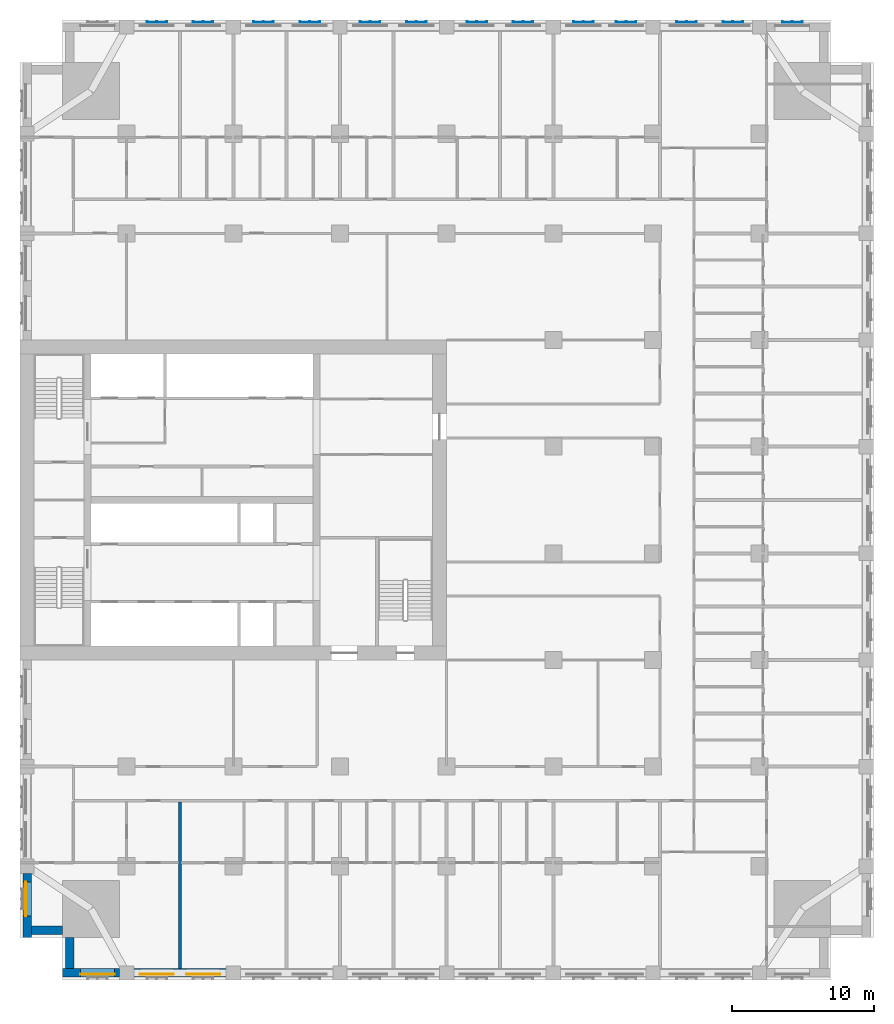
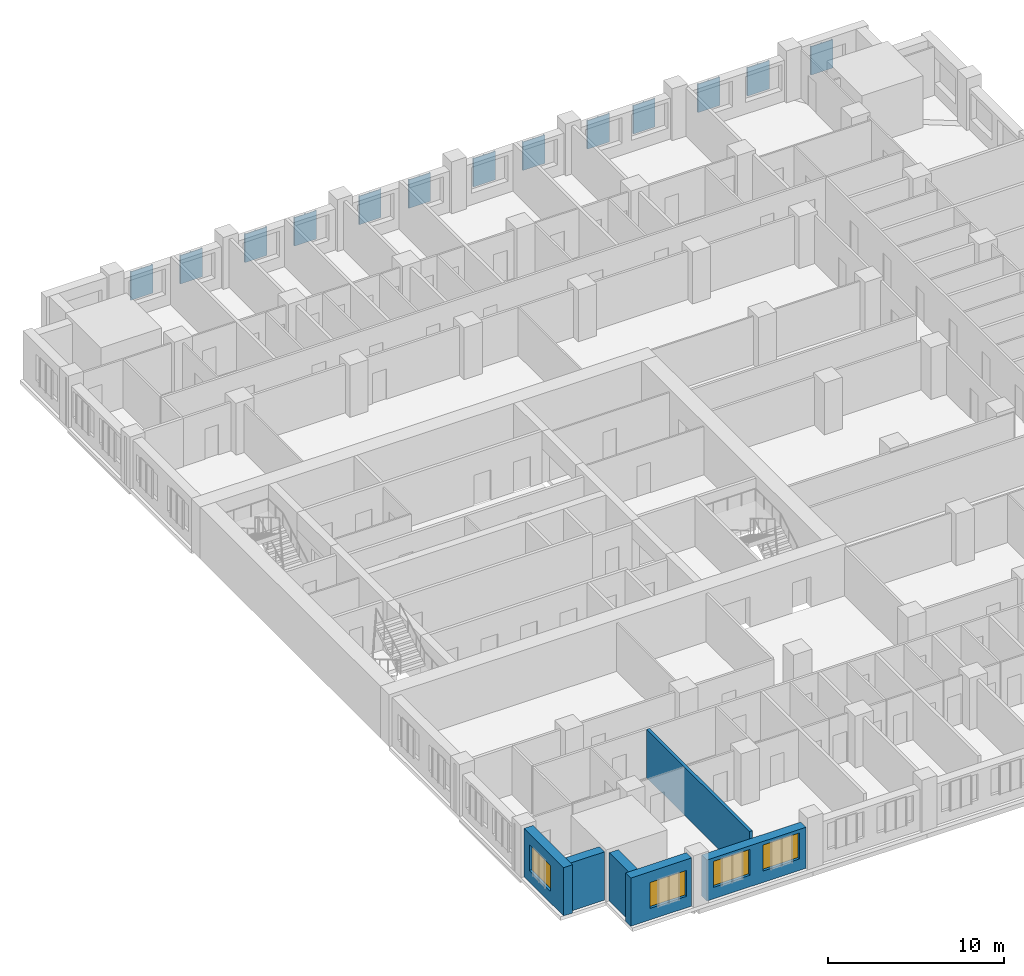
# One storey, part 3 of 15: 13 plates, 6 walls, 4 windows, 4 openings.
"""IFC4 building model written with IfcOpenShell, lengths in metres."""

import ifcopenshell
import ifcopenshell.guid

model = None  # the IFC model being written
_history = None  # IfcOwnerHistory: only IFC2X3 demands one
_inside = {}  # id of a spatial element -> (the spatial element, [elements in it])
_under = {}  # id of a project, library or spatial element -> (it, [spatial elements below it])
_declared = {}  # id of a project -> (the project, [libraries it declares])
_typed = {}  # id of a type object -> (the type object, [elements of that type])
_made_of = {}  # id of a material, layer set ... -> (it, [elements and type objects made of it])


def new_model(schema):
    """Start an empty IFC model of exactly this schema.

    Asked for "IFC4X3", IfcOpenShell would pick the latest addendum, in which some entities
    have other attributes; the version numbers below select the first issue.
    IFC2X3 requires an IfcOwnerHistory on every rooted entity: one is made here for all.
    """
    global model, _history
    if schema == "IFC4X3":
        model = ifcopenshell.file(schema_version=(4, 3, 0, 0))
    else:
        model = ifcopenshell.file(schema=schema)
    _inside.clear()
    _under.clear()
    _declared.clear()
    _typed.clear()
    _made_of.clear()
    _history = None
    if model.schema == "IFC2X3":
        org = make("IfcOrganization", Name="unknown")
        user = make(
            "IfcPersonAndOrganization",
            ThePerson=make("IfcPerson", FamilyName="unknown"),
            TheOrganization=org,
        )
        app = make(
            "IfcApplication",
            ApplicationDeveloper=org,
            Version="unknown",
            ApplicationFullName="unknown",
            ApplicationIdentifier="unknown",
        )
        _history = make(
            "IfcOwnerHistory",
            OwningUser=user,
            OwningApplication=app,
            ChangeAction="ADDED",
            CreationDate=0,
        )
    return model


def make(cls, **values):
    """One entity of the class cls with the attributes given. An attribute that is None is left unset."""
    return model.create_entity(
        cls, **{name: value for name, value in values.items() if value is not None}
    )


def rooted(cls, **values):
    """An entity with a GlobalId (a new one), such as an element, a storey or a relation."""
    return make(cls, GlobalId=ifcopenshell.guid.new(), OwnerHistory=_history, **values)


def si_unit(unit_type, name, prefix=None):
    """IfcSIUnit, for example si_unit("LENGTHUNIT", "METRE", prefix="MILLI")."""
    return make("IfcSIUnit", UnitType=unit_type, Prefix=prefix, Name=name)


def assignment(units):
    """IfcUnitAssignment: the units of a project."""
    return None if units is None else make("IfcUnitAssignment", Units=units)


def point(xyz):
    """IfcCartesianPoint."""
    return None if xyz is None else make("IfcCartesianPoint", Coordinates=xyz)


def direction(xyz):
    """IfcDirection."""
    return None if xyz is None else make("IfcDirection", DirectionRatios=xyz)


def frame(location, z_axis=None, x_axis=None):
    """IfcAxis2Placement3D, a coordinate frame: its origin and axes. An axis left out is left unset."""
    return make(
        "IfcAxis2Placement3D",
        Location=point(location),
        Axis=direction(z_axis),
        RefDirection=direction(x_axis),
    )


def frame_2d(location, x_axis=None):
    """IfcAxis2Placement2D, a coordinate frame in the plane: its origin and x axis."""
    return make(
        "IfcAxis2Placement2D", Location=point(location), RefDirection=direction(x_axis)
    )


def origin():
    """The frame at (0, 0, 0) with its axes left unset."""
    return frame((0.0, 0.0, 0.0))


def place(relative_to, where):
    """IfcLocalPlacement: puts the frame where relative to a parent placement (None: the world)."""
    return make(
        "IfcLocalPlacement", PlacementRelTo=relative_to, RelativePlacement=where
    )


def context(
    kind, dimensions, precision=None, world=None, true_north=None, identifier=None
):
    """IfcGeometricRepresentationContext, for example the 3D "Model" context."""
    return make(
        "IfcGeometricRepresentationContext",
        ContextIdentifier=identifier,
        ContextType=kind,
        CoordinateSpaceDimension=dimensions,
        Precision=precision,
        WorldCoordinateSystem=world,
        TrueNorth=true_north,
    )


def subcontext(parent, identifier, kind, view, scale=None):
    """IfcGeometricRepresentationSubContext, for example "Body" below "Model"."""
    return make(
        "IfcGeometricRepresentationSubContext",
        ContextIdentifier=identifier,
        ContextType=kind,
        ParentContext=parent,
        TargetScale=scale,
        TargetView=view,
    )


def project(units=None, contexts=None):
    """IfcProject with its units and contexts."""
    return rooted(
        "IfcProject",
        Name="project",
        RepresentationContexts=contexts,
        UnitsInContext=assignment(units),
    )


def spatial(cls, under=None, at=None, **own):
    """A site, building, storey or space (cls), placed at a placement, below another one or the project."""
    s = rooted(cls, ObjectPlacement=at, **own)
    if under is not None:
        _under.setdefault(under.id(), (under, []))[1].append(s)
    return s


def polyline(points):
    """IfcPolyline through the points."""
    return make("IfcPolyline", Points=[point(p) for p in points])


def profile(cls, at=None, kind="AREA", **sizes):
    """A parametric profile (cls). Its sizes go by their IFC names, for example OverallWidth=200.0."""
    return make(cls, ProfileType=kind, Position=at, **sizes)


def rectangle(**sizes):
    """IfcRectangleProfileDef."""
    return profile("IfcRectangleProfileDef", **sizes)


def outline(outer, holes=None, kind="AREA"):
    """IfcArbitraryClosedProfileDef: a profile drawn as a closed curve; with holes, ...WithVoids."""
    if holes is None:
        return make("IfcArbitraryClosedProfileDef", ProfileType=kind, OuterCurve=outer)
    return make(
        "IfcArbitraryProfileDefWithVoids",
        ProfileType=kind,
        OuterCurve=outer,
        InnerCurves=holes,
    )


def extrude(swept, where, along, depth):
    """IfcExtrudedAreaSolid: the profile swept, set in the frame where, extruded along a direction by depth."""
    return make(
        "IfcExtrudedAreaSolid",
        SweptArea=swept,
        Position=where,
        ExtrudedDirection=direction(along),
        Depth=depth,
    )


def shape(context_of_items, identifier, shape_type, items):
    """IfcShapeRepresentation: the items that make up one representation, for example the "Body"."""
    return make(
        "IfcShapeRepresentation",
        ContextOfItems=context_of_items,
        RepresentationIdentifier=identifier,
        RepresentationType=shape_type,
        Items=items,
    )


def material(Name=None, Category=None):
    """IfcMaterial."""
    return make("IfcMaterial", Name=Name, Category=Category)


def layer(
    of_material, thickness, ventilated=None, Name=None, Category=None, Priority=None
):
    """IfcMaterialLayer: one layer of a wall or slab, of a material (None: an air gap)."""
    return make(
        "IfcMaterialLayer",
        Material=of_material,
        LayerThickness=thickness,
        IsVentilated=ventilated,
        Name=Name,
        Category=Category,
        Priority=Priority,
    )


def layer_set(layers, Name=None):
    """IfcMaterialLayerSet."""
    return make("IfcMaterialLayerSet", MaterialLayers=layers, LayerSetName=Name)


def made_of(thing, what):
    """Note that an element or type object is made of a material, layer set ...; save() writes the relation."""
    if what is not None:
        _made_of.setdefault(what.id(), (what, []))[1].append(thing)
    return thing


def type_object(cls, material=None, **own):
    """A type object (cls), such as IfcWallType, which elements share."""
    return made_of(rooted(cls, **own), material)


def element(
    cls,
    number,
    at=None,
    inside=None,
    cuts=None,
    type_object=None,
    material=None,
    context=None,
    identifier="Body",
    shape_type=None,
    held_by="IfcProductDefinitionShape",
    body=None,
    shapes=None,
    **own,
):
    """One element of the class cls, such as IfcWall. Its Tag is "e" and its number.

    at: its placement. inside: the storey or other place that contains it. cuts: it is an
    opening in that element (IfcRelVoidsElement). A single representation is given by context,
    identifier, shape_type and body (its items); several are given by shapes. held_by: the class
    of the entity that holds the representations. save() writes the other relations.
    """
    e = rooted(cls, Tag="e%d" % number, ObjectPlacement=at, **own)
    if body is not None:
        shapes = [shape(context, identifier, shape_type, body)]
    if shapes is not None:
        e.Representation = make(held_by, Representations=shapes)
    if inside is not None:
        _inside.setdefault(inside.id(), (inside, []))[1].append(e)
    if cuts is not None:
        rooted(
            "IfcRelVoidsElement", RelatingBuildingElement=cuts, RelatedOpeningElement=e
        )
    if type_object is not None:
        _typed.setdefault(type_object.id(), (type_object, []))[1].append(e)
    return made_of(e, material)


def fill(opening, filler):
    """IfcRelFillsElement: the door or window that sits in an opening."""
    return rooted(
        "IfcRelFillsElement",
        RelatingOpeningElement=opening,
        RelatedBuildingElement=filler,
    )


def aggregate(whole, parts):
    """IfcRelAggregates: a whole, such as a stair, and the parts it consists of."""
    return rooted("IfcRelAggregates", RelatingObject=whole, RelatedObjects=parts)


def save(model, path):
    """Write the relations noted so far, then the file.

    IfcRelAggregates (storeys below a building ...), IfcRelContainedInSpatialStructure (elements
    in a storey), IfcRelDefinesByType, IfcRelAssociatesMaterial and IfcRelDeclares: one each for
    every whole, place, type object, material and project.
    """
    for whole, parts in _under.values():
        aggregate(whole, parts)
    for where, things in _inside.values():
        rooted(
            "IfcRelContainedInSpatialStructure",
            RelatedElements=things,
            RelatingStructure=where,
        )
    for kind, things in _typed.values():
        rooted("IfcRelDefinesByType", RelatedObjects=things, RelatingType=kind)
    for what, things in _made_of.values():
        rooted("IfcRelAssociatesMaterial", RelatedObjects=things, RelatingMaterial=what)
    for by, libraries in _declared.values():
        rooted("IfcRelDeclares", RelatingContext=by, RelatedDefinitions=libraries)
    model.write(path)


model = new_model("IFC4")

# Units and contexts
model_context = context("Model", 3, precision=1e-05, world=origin(), true_north=direction((0.0, 1.0)))
body_context = subcontext(model_context, "Body", "Model", "MODEL_VIEW")
ifc_project = project(units=[si_unit("LENGTHUNIT", "METRE"), si_unit("AREAUNIT", "SQUARE_METRE"), si_unit("VOLUMEUNIT", "CUBIC_METRE"), si_unit("PLANEANGLEUNIT", "RADIAN"), si_unit("MASSUNIT", "GRAM", prefix="KILO")], contexts=[model_context])

# Site, building, storey
site_placement = place(None, origin())
site = spatial("IfcSite", under=ifc_project, at=site_placement, CompositionType="ELEMENT")
building_placement = place(site_placement, origin())
building = spatial("IfcBuilding", under=site, at=building_placement, Name="Tamorin Gate", CompositionType="ELEMENT")
storey_placement = place(building_placement, frame((0.0, 0.0, 62.800048828125)))
storey = spatial("IfcBuildingStorey", under=building, at=storey_placement, Name="L14", CompositionType="ELEMENT", Elevation=62.800048828125)

# Plates
ifc_material_1 = material(Name="Perforated pale aluminium sheet", Category="aluminium")
ifc_layer_1 = layer(ifc_material_1, 0.0400390625)
ifc_layer_set_1 = layer_set([ifc_layer_1], Name="Pale metal solar screen 1440")
plate_type = type_object("IfcPlateType", Name="Pale metal solar screen 1440", PredefinedType="SHEET", material=ifc_layer_set_1)
plate_1_placement = place(storey_placement, frame((0.0, 0.0, 0.7099609375)))
element("IfcPlate", 1, at=plate_1_placement, inside=storey, type_object=plate_type, Name="Perforated solar screen", PredefinedType="SHEET", context=body_context, shape_type="SweptSolid", body=[
    extrude(outline(polyline([(85.02001953125, 104.840087890625), (85.02001953125, 104.800048828125), (84.9599609375, 104.800048828125), (84.330078125, 104.800048828125), (84.27001953125, 104.800048828125), (83.639892578125, 104.800048828125), (83.580078125, 104.800048828125), (83.580078125, 104.840087890625), (83.580078125, 104.89990234375), (83.639892578125, 104.89990234375), (83.639892578125, 104.840087890625), (84.27001953125, 104.840087890625), (84.27001953125, 104.89990234375), (84.330078125, 104.89990234375), (84.330078125, 104.840087890625), (84.9599609375, 104.840087890625), (84.9599609375, 104.89990234375), (85.02001953125, 104.89990234375), (85.02001953125, 104.840087890625)])), origin(), (0.0, 0.0, 1.0), 1.97998046875),
])
plate_2_placement = place(storey_placement, frame((0.0, 0.0, 0.7099609375)))
element("IfcPlate", 2, at=plate_2_placement, inside=storey, type_object=plate_type, Name="Perforated solar screen", PredefinedType="SHEET", context=body_context, shape_type="SweptSolid", body=[
    extrude(outline(polyline([(77.594970703125, 104.840087890625), (77.594970703125, 104.800048828125), (77.534912109375, 104.800048828125), (76.905029296875, 104.800048828125), (76.844970703125, 104.800048828125), (76.215087890625, 104.800048828125), (76.155029296875, 104.800048828125), (76.155029296875, 104.840087890625), (76.155029296875, 104.89990234375), (76.215087890625, 104.89990234375), (76.215087890625, 104.840087890625), (76.844970703125, 104.840087890625), (76.844970703125, 104.89990234375), (76.905029296875, 104.89990234375), (76.905029296875, 104.840087890625), (77.534912109375, 104.840087890625), (77.534912109375, 104.89990234375), (77.594970703125, 104.89990234375), (77.594970703125, 104.840087890625)])), origin(), (0.0, 0.0, 1.0), 1.97998046875),
])
plate_3_placement = place(storey_placement, frame((0.0, 0.0, 0.7099609375)))
element("IfcPlate", 3, at=plate_3_placement, inside=storey, type_object=plate_type, Name="Perforated solar screen", PredefinedType="SHEET", context=body_context, shape_type="SweptSolid", body=[
    extrude(outline(polyline([(80.844970703125, 104.840087890625), (80.844970703125, 104.800048828125), (80.784912109375, 104.800048828125), (80.155029296875, 104.800048828125), (80.094970703125, 104.800048828125), (79.465087890625, 104.800048828125), (79.405029296875, 104.800048828125), (79.405029296875, 104.800048828125), (79.405029296875, 104.840087890625), (79.405029296875, 104.840087890625), (79.405029296875, 104.89990234375), (79.465087890625, 104.89990234375), (79.465087890625, 104.840087890625), (80.094970703125, 104.840087890625), (80.094970703125, 104.89990234375), (80.155029296875, 104.89990234375), (80.155029296875, 104.840087890625), (80.784912109375, 104.840087890625), (80.784912109375, 104.89990234375), (80.844970703125, 104.89990234375), (80.844970703125, 104.840087890625)])), origin(), (0.0, 0.0, 1.0), 1.97998046875),
])
plate_4_placement = place(storey_placement, frame((0.0, 0.0, 0.7099609375)))
element("IfcPlate", 4, at=plate_4_placement, inside=storey, type_object=plate_type, Name="Perforated solar screen", PredefinedType="SHEET", context=body_context, shape_type="SweptSolid", body=[
    extrude(outline(polyline([(70.344970703125, 104.840087890625), (70.344970703125, 104.800048828125), (70.284912109375, 104.800048828125), (69.655029296875, 104.800048828125), (69.594970703125, 104.800048828125), (68.965087890625, 104.800048828125), (68.905029296875, 104.800048828125), (68.905029296875, 104.840087890625), (68.905029296875, 104.89990234375), (68.965087890625, 104.89990234375), (68.965087890625, 104.840087890625), (69.594970703125, 104.840087890625), (69.594970703125, 104.89990234375), (69.655029296875, 104.89990234375), (69.655029296875, 104.840087890625), (70.284912109375, 104.840087890625), (70.284912109375, 104.89990234375), (70.344970703125, 104.89990234375), (70.344970703125, 104.840087890625)])), origin(), (0.0, 0.0, 1.0), 1.97998046875),
])
plate_5_placement = place(storey_placement, frame((0.0, 0.0, 0.7099609375)))
element("IfcPlate", 5, at=plate_5_placement, inside=storey, type_object=plate_type, Name="Perforated solar screen", PredefinedType="SHEET", context=body_context, shape_type="SweptSolid", body=[
    extrude(outline(polyline([(73.344970703125, 104.840087890625), (73.344970703125, 104.800048828125), (73.284912109375, 104.800048828125), (72.655029296875, 104.800048828125), (72.594970703125, 104.800048828125), (71.965087890625, 104.800048828125), (71.905029296875, 104.800048828125), (71.905029296875, 104.840087890625), (71.905029296875, 104.89990234375), (71.965087890625, 104.89990234375), (71.965087890625, 104.840087890625), (72.594970703125, 104.840087890625), (72.594970703125, 104.89990234375), (72.655029296875, 104.89990234375), (72.655029296875, 104.840087890625), (73.284912109375, 104.840087890625), (73.284912109375, 104.89990234375), (73.344970703125, 104.89990234375), (73.344970703125, 104.840087890625)])), origin(), (0.0, 0.0, 1.0), 1.97998046875),
])
plate_6_placement = place(storey_placement, frame((0.0, 0.0, 0.7099609375)))
element("IfcPlate", 6, at=plate_6_placement, inside=storey, type_object=plate_type, Name="Perforated solar screen", PredefinedType="SHEET", context=body_context, shape_type="SweptSolid", body=[
    extrude(outline(polyline([(62.844970703125, 104.840087890625), (62.844970703125, 104.800048828125), (62.784912109375, 104.800048828125), (62.155029296875, 104.800048828125), (62.094970703125, 104.800048828125), (61.465087890625, 104.800048828125), (61.405029296875, 104.800048828125), (61.405029296875, 104.840087890625), (61.405029296875, 104.89990234375), (61.465087890625, 104.89990234375), (61.465087890625, 104.840087890625), (62.094970703125, 104.840087890625), (62.094970703125, 104.89990234375), (62.155029296875, 104.89990234375), (62.155029296875, 104.840087890625), (62.784912109375, 104.840087890625), (62.784912109375, 104.89990234375), (62.844970703125, 104.89990234375), (62.844970703125, 104.840087890625)])), origin(), (0.0, 0.0, 1.0), 1.97998046875),
])
plate_7_placement = place(storey_placement, frame((0.0, 0.0, 0.7099609375)))
element("IfcPlate", 7, at=plate_7_placement, inside=storey, type_object=plate_type, Name="Perforated solar screen", PredefinedType="SHEET", context=body_context, shape_type="SweptSolid", body=[
    extrude(outline(polyline([(66.094970703125, 104.840087890625), (66.094970703125, 104.800048828125), (66.034912109375, 104.800048828125), (65.405029296875, 104.800048828125), (65.344970703125, 104.800048828125), (64.715087890625, 104.800048828125), (64.655029296875, 104.800048828125), (64.655029296875, 104.840087890625), (64.655029296875, 104.89990234375), (64.715087890625, 104.89990234375), (64.715087890625, 104.840087890625), (65.344970703125, 104.840087890625), (65.344970703125, 104.89990234375), (65.405029296875, 104.89990234375), (65.405029296875, 104.840087890625), (66.034912109375, 104.840087890625), (66.034912109375, 104.89990234375), (66.094970703125, 104.89990234375), (66.094970703125, 104.840087890625)])), origin(), (0.0, 0.0, 1.0), 1.97998046875),
])
plate_8_placement = place(storey_placement, frame((0.0, 0.0, 0.7099609375)))
element("IfcPlate", 8, at=plate_8_placement, inside=storey, type_object=plate_type, Name="Perforated solar screen", PredefinedType="SHEET", context=body_context, shape_type="SweptSolid", body=[
    extrude(outline(polyline([(55.344970703125, 104.840087890625), (55.344970703125, 104.800048828125), (55.284912109375, 104.800048828125), (54.655029296875, 104.800048828125), (54.594970703125, 104.800048828125), (53.965087890625, 104.800048828125), (53.905029296875, 104.800048828125), (53.905029296875, 104.840087890625), (53.905029296875, 104.89990234375), (53.965087890625, 104.89990234375), (53.965087890625, 104.840087890625), (54.594970703125, 104.840087890625), (54.594970703125, 104.89990234375), (54.655029296875, 104.89990234375), (54.655029296875, 104.840087890625), (55.284912109375, 104.840087890625), (55.284912109375, 104.89990234375), (55.344970703125, 104.89990234375), (55.344970703125, 104.840087890625)])), origin(), (0.0, 0.0, 1.0), 1.97998046875),
])
plate_9_placement = place(storey_placement, frame((0.0, 0.0, 0.7099609375)))
element("IfcPlate", 9, at=plate_9_placement, inside=storey, type_object=plate_type, Name="Perforated solar screen", PredefinedType="SHEET", context=body_context, shape_type="SweptSolid", body=[
    extrude(outline(polyline([(58.594970703125, 104.840087890625), (58.594970703125, 104.800048828125), (58.534912109375, 104.800048828125), (57.905029296875, 104.800048828125), (57.844970703125, 104.800048828125), (57.215087890625, 104.800048828125), (57.155029296875, 104.800048828125), (57.155029296875, 104.840087890625), (57.155029296875, 104.89990234375), (57.215087890625, 104.89990234375), (57.215087890625, 104.840087890625), (57.844970703125, 104.840087890625), (57.844970703125, 104.89990234375), (57.905029296875, 104.89990234375), (57.905029296875, 104.840087890625), (58.534912109375, 104.840087890625), (58.534912109375, 104.89990234375), (58.594970703125, 104.89990234375), (58.594970703125, 104.840087890625)])), origin(), (0.0, 0.0, 1.0), 1.97998046875),
])
plate_10_placement = place(storey_placement, frame((0.0, 0.0, 0.7099609375)))
element("IfcPlate", 10, at=plate_10_placement, inside=storey, type_object=plate_type, Name="Perforated solar screen", PredefinedType="SHEET", context=body_context, shape_type="SweptSolid", body=[
    extrude(outline(polyline([(47.844970703125, 104.840087890625), (47.844970703125, 104.800048828125), (47.784912109375, 104.800048828125), (47.155029296875, 104.800048828125), (47.094970703125, 104.800048828125), (46.465087890625, 104.800048828125), (46.405029296875, 104.800048828125), (46.405029296875, 104.840087890625), (46.405029296875, 104.89990234375), (46.465087890625, 104.89990234375), (46.465087890625, 104.840087890625), (47.094970703125, 104.840087890625), (47.094970703125, 104.89990234375), (47.155029296875, 104.89990234375), (47.155029296875, 104.840087890625), (47.784912109375, 104.840087890625), (47.784912109375, 104.89990234375), (47.844970703125, 104.89990234375), (47.844970703125, 104.840087890625)])), origin(), (0.0, 0.0, 1.0), 1.97998046875),
])
plate_11_placement = place(storey_placement, frame((0.0, 0.0, 0.7099609375)))
element("IfcPlate", 11, at=plate_11_placement, inside=storey, type_object=plate_type, Name="Perforated solar screen", PredefinedType="SHEET", context=body_context, shape_type="SweptSolid", body=[
    extrude(outline(polyline([(51.094970703125, 104.840087890625), (51.094970703125, 104.800048828125), (51.034912109375, 104.800048828125), (50.405029296875, 104.800048828125), (50.344970703125, 104.800048828125), (49.715087890625, 104.800048828125), (49.655029296875, 104.800048828125), (49.655029296875, 104.840087890625), (49.655029296875, 104.89990234375), (49.715087890625, 104.89990234375), (49.715087890625, 104.840087890625), (50.344970703125, 104.840087890625), (50.344970703125, 104.89990234375), (50.405029296875, 104.89990234375), (50.405029296875, 104.840087890625), (51.034912109375, 104.840087890625), (51.034912109375, 104.89990234375), (51.094970703125, 104.89990234375), (51.094970703125, 104.840087890625)])), origin(), (0.0, 0.0, 1.0), 1.97998046875),
])
plate_12_placement = place(storey_placement, frame((0.0, 0.0, 0.7099609375)))
element("IfcPlate", 12, at=plate_12_placement, inside=storey, type_object=plate_type, Name="Perforated solar screen", PredefinedType="SHEET", context=body_context, shape_type="SweptSolid", body=[
    extrude(outline(polyline([(40.344970703125, 104.840087890625), (40.344970703125, 104.800048828125), (40.284912109375, 104.800048828125), (39.655029296875, 104.800048828125), (39.594970703125, 104.800048828125), (38.965087890625, 104.800048828125), (38.905029296875, 104.800048828125), (38.905029296875, 104.840087890625), (38.905029296875, 104.89990234375), (38.965087890625, 104.89990234375), (38.965087890625, 104.840087890625), (39.594970703125, 104.840087890625), (39.594970703125, 104.89990234375), (39.655029296875, 104.89990234375), (39.655029296875, 104.840087890625), (40.284912109375, 104.840087890625), (40.284912109375, 104.89990234375), (40.344970703125, 104.89990234375), (40.344970703125, 104.840087890625)])), origin(), (0.0, 0.0, 1.0), 1.97998046875),
])
plate_13_placement = place(storey_placement, frame((0.0, 0.0, 0.7099609375)))
element("IfcPlate", 13, at=plate_13_placement, inside=storey, type_object=plate_type, Name="Perforated solar screen", PredefinedType="SHEET", context=body_context, shape_type="SweptSolid", body=[
    extrude(outline(polyline([(43.594970703125, 104.840087890625), (43.594970703125, 104.800048828125), (43.534912109375, 104.800048828125), (42.905029296875, 104.800048828125), (42.844970703125, 104.800048828125), (42.215087890625, 104.800048828125), (42.155029296875, 104.800048828125), (42.155029296875, 104.840087890625), (42.155029296875, 104.89990234375), (42.215087890625, 104.89990234375), (42.215087890625, 104.840087890625), (42.844970703125, 104.840087890625), (42.844970703125, 104.89990234375), (42.905029296875, 104.89990234375), (42.905029296875, 104.840087890625), (43.534912109375, 104.840087890625), (43.534912109375, 104.89990234375), (43.594970703125, 104.89990234375), (43.594970703125, 104.840087890625)])), origin(), (0.0, 0.0, 1.0), 1.97998046875),
])

# Wall, opening, window
ifc_material_2 = material(Name="Precast concrete C40/50", Category="concrete")
ifc_layer_2 = layer(ifc_material_2, 0.60009765625)
ifc_layer_set_2 = layer_set([ifc_layer_2], Name="Precast concrete C40/50")
wall_type_1 = type_object("IfcWallType", Name="Board-marked concrete facade panel 600", PredefinedType="SOLIDWALL", material=ifc_layer_set_2)
wall_1_placement = place(storey_placement, frame((33.0, 38.0, 0.0), z_axis=(0.0, 0.0, 1.0), x_axis=(1.0, 0.0, 0.0)))
wall_1 = element("IfcWall", 14, at=wall_1_placement, inside=storey, type_object=wall_type_1, Name="Facade panel", PredefinedType="SOLIDWALL", context=body_context, shape_type="SweptSolid", body=[
    extrude(rectangle(XDim=4.0, YDim=0.60009765625, at=frame_2d((2.0, 0.0))), origin(), (0.0, 0.0, 1.0), 3.349853515625),
])
opening_1_placement = place(wall_1_placement, frame((1.25, 0.0, 0.800048828125)))
opening_1 = element("IfcOpeningElement", 15, at=opening_1_placement, cuts=wall_1, Name="Opening WN1", PredefinedType="OPENING", context=body_context, shape_type="SweptSolid", body=[
    extrude(rectangle(XDim=2.39990234375, YDim=1.800048828125, at=frame_2d((1.199951171875, 0.89990234375))), frame((0.0, 0.31005859375, 0.0), z_axis=(0.0, -1.0, 0.0), x_axis=(1.0, 0.0, 0.0)), (0.0, 0.0, 1.0), 0.6201171875),
])
ifc_material_3 = material(Name="Clear glass in aluminium frame", Category="aluminium")
window_type = type_object("IfcWindowType", Name="Deep-set window 2400x1800", PartitioningType="SINGLE_PANEL", PredefinedType="WINDOW", material=ifc_material_3)
window_1_placement = place(opening_1_placement, origin())
window_1 = element("IfcWindow", 16, at=window_1_placement, inside=storey, type_object=window_type, Name="Deep-set window", OverallHeight=1.800048828125, OverallWidth=2.39990234375, PartitioningType="SINGLE_PANEL", PredefinedType="WINDOW", context=body_context, shape_type="SweptSolid", body=[
    extrude(rectangle(XDim=2.39990234375, YDim=1.800048828125, at=frame_2d((1.199951171875, 0.89990234375))), frame((0.0, -0.070068359375, 0.0), z_axis=(0.0, -1.0, 0.0), x_axis=(1.0, 0.0, 0.0)), (0.0, 0.0, 1.0), 0.06005859375),
])
fill(opening_1, window_1)

# Wall, openings, windows
wall_2_placement = place(storey_placement, frame((38.0, 38.0, 0.0), z_axis=(0.0, 0.0, 1.0), x_axis=(1.0, 0.0, 0.0)))
wall_2 = element("IfcWall", 17, at=wall_2_placement, inside=storey, type_object=wall_type_1, Name="Facade panel", PredefinedType="SOLIDWALL", context=body_context, shape_type="SweptSolid", body=[
    extrude(rectangle(XDim=6.5, YDim=0.60009765625, at=frame_2d((3.25, 0.0))), origin(), (0.0, 0.0, 1.0), 2.849853515625),
])
opening_2_placement = place(wall_2_placement, frame((0.425048828125, 0.0, 0.800048828125)))
opening_2 = element("IfcOpeningElement", 18, at=opening_2_placement, cuts=wall_2, Name="Opening WN1", PredefinedType="OPENING", context=body_context, shape_type="SweptSolid", body=[
    extrude(rectangle(XDim=2.39990234375, YDim=1.800048828125, at=frame_2d((1.199951171875, 0.89990234375))), frame((0.0, 0.31005859375, 0.0), z_axis=(0.0, -1.0, 0.0), x_axis=(1.0, 0.0, 0.0)), (0.0, 0.0, 1.0), 0.6201171875),
])
opening_3_placement = place(wall_2_placement, frame((3.675048828125, 0.0, 0.800048828125)))
opening_3 = element("IfcOpeningElement", 19, at=opening_3_placement, cuts=wall_2, Name="Opening WN1", PredefinedType="OPENING", context=body_context, shape_type="SweptSolid", body=[
    extrude(rectangle(XDim=2.39990234375, YDim=1.800048828125, at=frame_2d((1.199951171875, 0.89990234375))), frame((0.0, 0.31005859375, 0.0), z_axis=(0.0, -1.0, 0.0), x_axis=(1.0, 0.0, 0.0)), (0.0, 0.0, 1.0), 0.6201171875),
])
window_2_placement = place(opening_2_placement, origin())
window_2 = element("IfcWindow", 20, at=window_2_placement, inside=storey, type_object=window_type, Name="Deep-set window", OverallHeight=1.800048828125, OverallWidth=2.39990234375, PartitioningType="SINGLE_PANEL", PredefinedType="WINDOW", context=body_context, shape_type="SweptSolid", body=[
    extrude(rectangle(XDim=2.39990234375, YDim=1.800048828125, at=frame_2d((1.199951171875, 0.89990234375))), frame((0.0, -0.070068359375, 0.0), z_axis=(0.0, -1.0, 0.0), x_axis=(1.0, 0.0, 0.0)), (0.0, 0.0, 1.0), 0.06005859375),
])
fill(opening_2, window_2)
window_3_placement = place(opening_3_placement, origin())
window_3 = element("IfcWindow", 21, at=window_3_placement, inside=storey, type_object=window_type, Name="Deep-set window", OverallHeight=1.800048828125, OverallWidth=2.39990234375, PartitioningType="SINGLE_PANEL", PredefinedType="WINDOW", context=body_context, shape_type="SweptSolid", body=[
    extrude(rectangle(XDim=2.39990234375, YDim=1.800048828125, at=frame_2d((1.199951171875, 0.89990234375))), frame((0.0, -0.070068359375, 0.0), z_axis=(0.0, -1.0, 0.0), x_axis=(1.0, 0.0, 0.0)), (0.0, 0.0, 1.0), 0.06005859375),
])
fill(opening_3, window_3)

# Wall, opening, window
wall_3_placement = place(storey_placement, frame((30.5, 45.0, 0.0), z_axis=(0.0, 0.0, 1.0), x_axis=(0.0, -1.0, 0.0)))
wall_3 = element("IfcWall", 22, at=wall_3_placement, inside=storey, type_object=wall_type_1, Name="Facade panel", PredefinedType="SOLIDWALL", context=body_context, shape_type="SweptSolid", body=[
    extrude(rectangle(XDim=4.5, YDim=0.60009765625, at=frame_2d((2.25, 0.0))), origin(), (0.0, 0.0, 1.0), 3.349853515625),
])
opening_4_placement = place(wall_3_placement, frame((0.60009765625, 0.0, 0.800048828125)))
opening_4 = element("IfcOpeningElement", 23, at=opening_4_placement, cuts=wall_3, Name="Opening WN1", PredefinedType="OPENING", context=body_context, shape_type="SweptSolid", body=[
    extrude(rectangle(XDim=2.39990234375, YDim=1.800048828125, at=frame_2d((1.199951171875, 0.89990234375))), frame((0.0, 0.31005859375, 0.0), z_axis=(0.0, -1.0, 0.0), x_axis=(1.0, 0.0, 0.0)), (0.0, 0.0, 1.0), 0.6201171875),
])
window_4_placement = place(opening_4_placement, origin())
window_4 = element("IfcWindow", 24, at=window_4_placement, inside=storey, type_object=window_type, Name="Deep-set window", OverallHeight=1.800048828125, OverallWidth=2.39990234375, PartitioningType="SINGLE_PANEL", PredefinedType="WINDOW", context=body_context, shape_type="SweptSolid", body=[
    extrude(rectangle(XDim=2.39990234375, YDim=1.800048828125, at=frame_2d((1.199951171875, 0.89990234375))), frame((0.0, -0.070068359375, 0.0), z_axis=(0.0, -1.0, 0.0), x_axis=(1.0, 0.0, 0.0)), (0.0, 0.0, 1.0), 0.06005859375),
])
fill(opening_4, window_4)

# Walls
for number, where, z_axis, x_axis, name in (
    (25, (30.800048828125, 41.0, 0.0), (0.0, 0.0, 1.0), (1.0, 0.0, 0.0), "Facade panel"),
    (26, (33.5, 40.5, 0.0), (0.0, 0.0, 1.0), (0.0, -1.0, 0.0), "Facade panel"),
):
    element("IfcWall", number, at=place(storey_placement, frame(where, z_axis=z_axis, x_axis=x_axis)), inside=storey, type_object=wall_type_1, Name=name, PredefinedType="SOLIDWALL", context=body_context, shape_type="SweptSolid", body=[
        extrude(rectangle(XDim=2.199951171875, YDim=0.60009765625, at=frame_2d((1.10009765625, 0.0))), origin(), (0.0, 0.0, 1.0), 3.349853515625),
    ])
ifc_material_4 = material(Name="Gypsum board partition")
ifc_layer_3 = layer(ifc_material_4, 0.199951171875)
ifc_layer_set_3 = layer_set([ifc_layer_3], Name="Demising wall 200")
wall_type_2 = type_object("IfcWallType", Name="Demising wall 200", PredefinedType="PARTITIONING", material=ifc_layer_set_3)
wall_4_placement = place(storey_placement, frame((41.25, 38.31005859375, 0.0), z_axis=(0.0, 0.0, 1.0), x_axis=(0.0, 1.0, 0.0)))
element("IfcWall", 27, at=wall_4_placement, inside=storey, type_object=wall_type_2, Name="Demising wall 200", PredefinedType="PARTITIONING", context=body_context, shape_type="SweptSolid", body=[
    extrude(rectangle(XDim=11.71484375, YDim=0.199951171875, at=frame_2d((5.857421875, 0.0))), origin(), (0.0, 0.0, 1.0), 3.349853515625),
])

save(model, "model.ifc")
